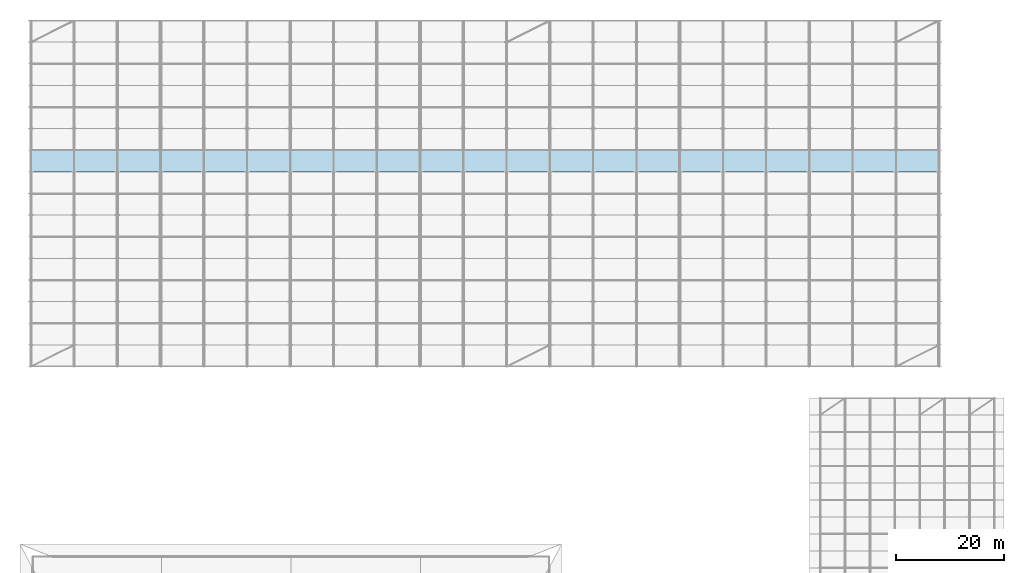
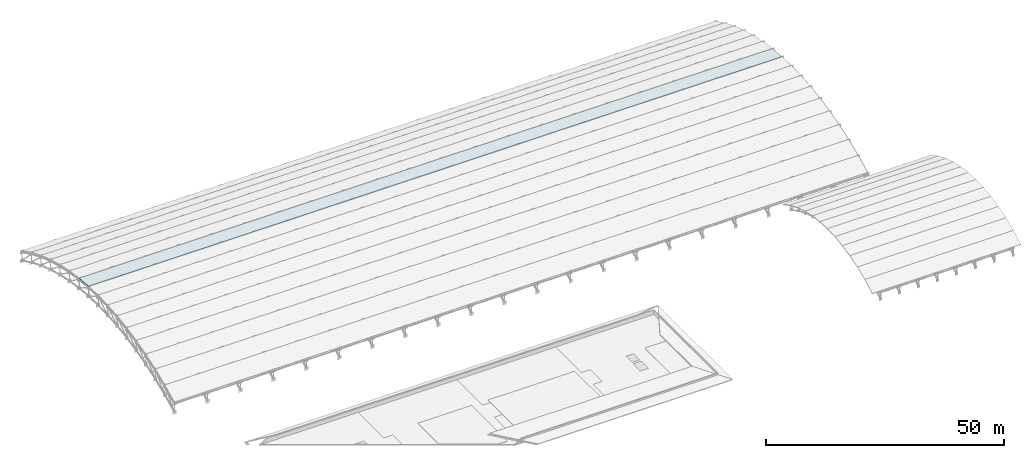
# One storey, part 80 of 98: 1 slab.
"""IFC4 building model written with IfcOpenShell, lengths in metres."""

from ifc_helpers import new_model, si_unit, direction, frame, origin, place, context, subcontext, project, spatial, polyline, outline, extrude, material, layer, layer_set, type_object, element, save


model = new_model("IFC4")

# Units and contexts
model_context = context("Model", 3, precision=1e-05, world=origin(), true_north=direction((0.0, 1.0)))
body_context = subcontext(model_context, "Body", "Model", "MODEL_VIEW")
ifc_project = project(units=[si_unit("LENGTHUNIT", "METRE"), si_unit("AREAUNIT", "SQUARE_METRE"), si_unit("VOLUMEUNIT", "CUBIC_METRE"), si_unit("PLANEANGLEUNIT", "RADIAN"), si_unit("MASSUNIT", "GRAM", prefix="KILO")], contexts=[model_context])

# Site, building, storey
site_placement = place(None, origin())
site = spatial("IfcSite", under=ifc_project, at=site_placement, CompositionType="ELEMENT")
building_placement = place(site_placement, origin())
building = spatial("IfcBuilding", under=site, at=building_placement, Name="Tlacozan Convention Centre", CompositionType="ELEMENT")
storey_placement = place(building_placement, frame((0.0, 0.0, 25.800048828125)))
storey = spatial("IfcBuildingStorey", under=building, at=storey_placement, Name="Roof", CompositionType="ELEMENT", Elevation=25.800048828125)

# Slab
ifc_material = material(Name="Concrete C40/50", Category="concrete")
ifc_layer = layer(ifc_material, 0.179931640625)
ifc_layer_set = layer_set([ifc_layer], Name="Concrete C40/50")
slab_type = type_object("IfcSlabType", Name="Exhibition Arched Roof Deck 180", PredefinedType="ROOF", material=ifc_layer_set)
slab_placement = place(storey_placement, frame((0.0, 98.0, -2.40771484375), z_axis=(0.0, 0.088277058926, 0.996095959668), x_axis=(1.0, 0.0, 0.0)))
element("IfcSlab", 1, at=slab_placement, inside=storey, type_object=slab_type, Name="V2A Arched Roof Facet Slab 10", PredefinedType="ROOF", context=body_context, shape_type="SweptSolid", body=[
    extrude(outline(polyline([(0.0, 0.0), (168.0, 0.0), (168.0, 4.015677366397671), (0.0, 4.015677366397671), (0.0, 0.0)])), origin(), (0.0, 0.0, -1.0), 0.179931640625),
])

save(model, "model.ifc")
